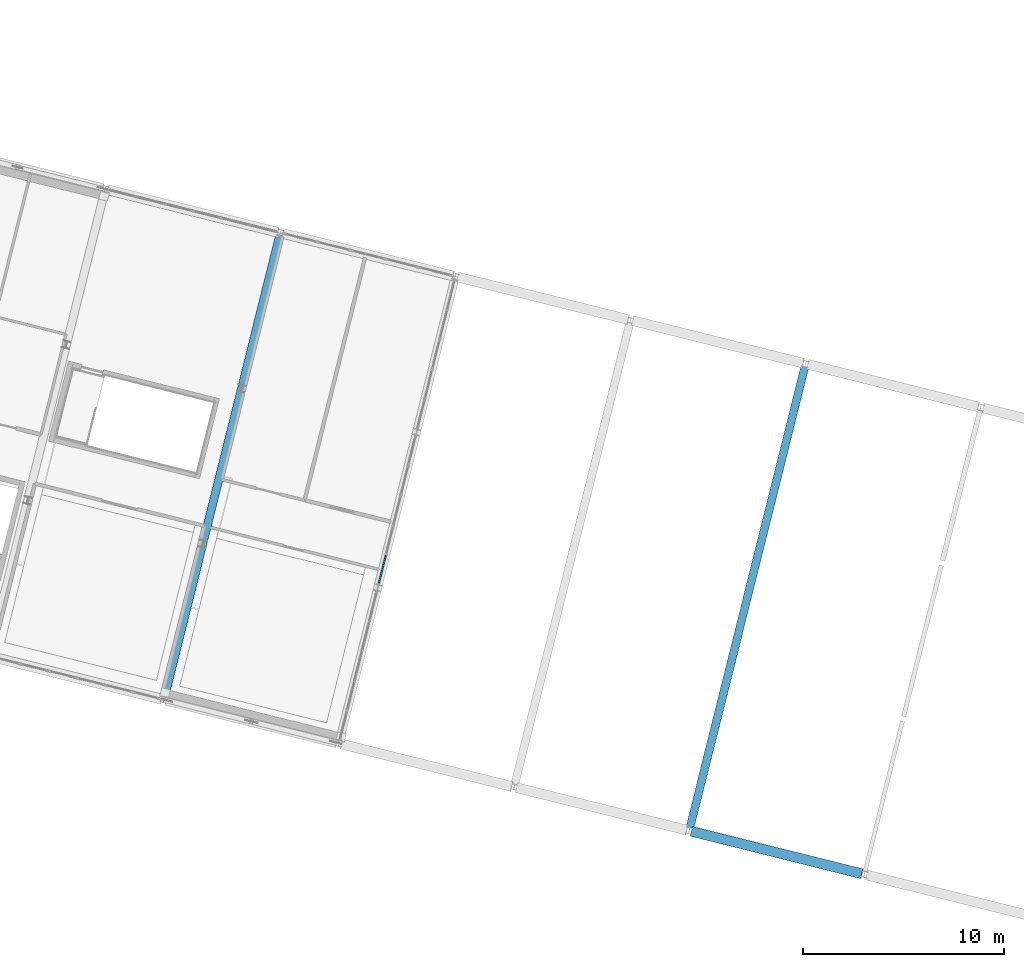
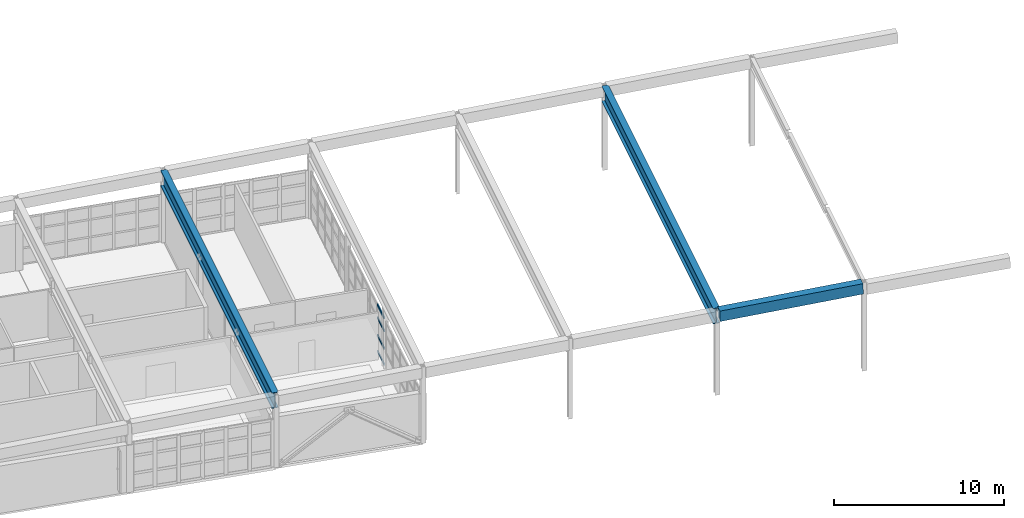
# One storey, part 13 of 27: 4 members, 3 beams, 1 element without a shape of its own.
"""IFC4 building model written with IfcOpenShell, lengths in metres."""

import ifcopenshell
import ifcopenshell.guid

model = None  # the IFC model being written
_history = None  # IfcOwnerHistory: only IFC2X3 demands one
_inside = {}  # id of a spatial element -> (the spatial element, [elements in it])
_under = {}  # id of a project, library or spatial element -> (it, [spatial elements below it])
_declared = {}  # id of a project -> (the project, [libraries it declares])
_typed = {}  # id of a type object -> (the type object, [elements of that type])
_made_of = {}  # id of a material, layer set ... -> (it, [elements and type objects made of it])


def new_model(schema):
    """Start an empty IFC model of exactly this schema.

    Asked for "IFC4X3", IfcOpenShell would pick the latest addendum, in which some entities
    have other attributes; the version numbers below select the first issue.
    IFC2X3 requires an IfcOwnerHistory on every rooted entity: one is made here for all.
    """
    global model, _history
    if schema == "IFC4X3":
        model = ifcopenshell.file(schema_version=(4, 3, 0, 0))
    else:
        model = ifcopenshell.file(schema=schema)
    _inside.clear()
    _under.clear()
    _declared.clear()
    _typed.clear()
    _made_of.clear()
    _history = None
    if model.schema == "IFC2X3":
        org = make("IfcOrganization", Name="unknown")
        user = make(
            "IfcPersonAndOrganization",
            ThePerson=make("IfcPerson", FamilyName="unknown"),
            TheOrganization=org,
        )
        app = make(
            "IfcApplication",
            ApplicationDeveloper=org,
            Version="unknown",
            ApplicationFullName="unknown",
            ApplicationIdentifier="unknown",
        )
        _history = make(
            "IfcOwnerHistory",
            OwningUser=user,
            OwningApplication=app,
            ChangeAction="ADDED",
            CreationDate=0,
        )
    return model


def make(cls, **values):
    """One entity of the class cls with the attributes given. An attribute that is None is left unset."""
    return model.create_entity(
        cls, **{name: value for name, value in values.items() if value is not None}
    )


def rooted(cls, **values):
    """An entity with a GlobalId (a new one), such as an element, a storey or a relation."""
    return make(cls, GlobalId=ifcopenshell.guid.new(), OwnerHistory=_history, **values)


def si_unit(unit_type, name, prefix=None):
    """IfcSIUnit, for example si_unit("LENGTHUNIT", "METRE", prefix="MILLI")."""
    return make("IfcSIUnit", UnitType=unit_type, Prefix=prefix, Name=name)


def assignment(units):
    """IfcUnitAssignment: the units of a project."""
    return None if units is None else make("IfcUnitAssignment", Units=units)


def point(xyz):
    """IfcCartesianPoint."""
    return None if xyz is None else make("IfcCartesianPoint", Coordinates=xyz)


def direction(xyz):
    """IfcDirection."""
    return None if xyz is None else make("IfcDirection", DirectionRatios=xyz)


def frame(location, z_axis=None, x_axis=None):
    """IfcAxis2Placement3D, a coordinate frame: its origin and axes. An axis left out is left unset."""
    return make(
        "IfcAxis2Placement3D",
        Location=point(location),
        Axis=direction(z_axis),
        RefDirection=direction(x_axis),
    )


def frame_2d(location, x_axis=None):
    """IfcAxis2Placement2D, a coordinate frame in the plane: its origin and x axis."""
    return make(
        "IfcAxis2Placement2D", Location=point(location), RefDirection=direction(x_axis)
    )


def origin():
    """The frame at (0, 0, 0) with its axes left unset."""
    return frame((0.0, 0.0, 0.0))


def origin_2d():
    """The frame at (0, 0) in the plane with its x axis left unset."""
    return frame_2d((0.0, 0.0))


def place(relative_to, where):
    """IfcLocalPlacement: puts the frame where relative to a parent placement (None: the world)."""
    return make(
        "IfcLocalPlacement", PlacementRelTo=relative_to, RelativePlacement=where
    )


def context(
    kind, dimensions, precision=None, world=None, true_north=None, identifier=None
):
    """IfcGeometricRepresentationContext, for example the 3D "Model" context."""
    return make(
        "IfcGeometricRepresentationContext",
        ContextIdentifier=identifier,
        ContextType=kind,
        CoordinateSpaceDimension=dimensions,
        Precision=precision,
        WorldCoordinateSystem=world,
        TrueNorth=true_north,
    )


def subcontext(parent, identifier, kind, view, scale=None):
    """IfcGeometricRepresentationSubContext, for example "Body" below "Model"."""
    return make(
        "IfcGeometricRepresentationSubContext",
        ContextIdentifier=identifier,
        ContextType=kind,
        ParentContext=parent,
        TargetScale=scale,
        TargetView=view,
    )


def project(units=None, contexts=None):
    """IfcProject with its units and contexts."""
    return rooted(
        "IfcProject",
        Name="project",
        RepresentationContexts=contexts,
        UnitsInContext=assignment(units),
    )


def spatial(cls, under=None, at=None, **own):
    """A site, building, storey or space (cls), placed at a placement, below another one or the project."""
    s = rooted(cls, ObjectPlacement=at, **own)
    if under is not None:
        _under.setdefault(under.id(), (under, []))[1].append(s)
    return s


def profile(cls, at=None, kind="AREA", **sizes):
    """A parametric profile (cls). Its sizes go by their IFC names, for example OverallWidth=200.0."""
    return make(cls, ProfileType=kind, Position=at, **sizes)


def rectangle(**sizes):
    """IfcRectangleProfileDef."""
    return profile("IfcRectangleProfileDef", **sizes)


def i_section(**sizes):
    """IfcIShapeProfileDef."""
    return profile("IfcIShapeProfileDef", **sizes)


def extrude(swept, where, along, depth):
    """IfcExtrudedAreaSolid: the profile swept, set in the frame where, extruded along a direction by depth."""
    return make(
        "IfcExtrudedAreaSolid",
        SweptArea=swept,
        Position=where,
        ExtrudedDirection=direction(along),
        Depth=depth,
    )


def shape(context_of_items, identifier, shape_type, items):
    """IfcShapeRepresentation: the items that make up one representation, for example the "Body"."""
    return make(
        "IfcShapeRepresentation",
        ContextOfItems=context_of_items,
        RepresentationIdentifier=identifier,
        RepresentationType=shape_type,
        Items=items,
    )


def material(Name=None, Category=None):
    """IfcMaterial."""
    return make("IfcMaterial", Name=Name, Category=Category)


def layer(
    of_material, thickness, ventilated=None, Name=None, Category=None, Priority=None
):
    """IfcMaterialLayer: one layer of a wall or slab, of a material (None: an air gap)."""
    return make(
        "IfcMaterialLayer",
        Material=of_material,
        LayerThickness=thickness,
        IsVentilated=ventilated,
        Name=Name,
        Category=Category,
        Priority=Priority,
    )


def layer_set(layers, Name=None):
    """IfcMaterialLayerSet."""
    return make("IfcMaterialLayerSet", MaterialLayers=layers, LayerSetName=Name)


def material_profile(
    of_material, cross_section, Name=None, Category=None, Priority=None
):
    """IfcMaterialProfile: a cross section and its material."""
    return make(
        "IfcMaterialProfile",
        Name=Name,
        Material=of_material,
        Profile=cross_section,
        Priority=Priority,
        Category=Category,
    )


def profile_set(profiles, Name=None, composite=None):
    """IfcMaterialProfileSet."""
    return make(
        "IfcMaterialProfileSet",
        Name=Name,
        MaterialProfiles=profiles,
        CompositeProfile=composite,
    )


def made_of(thing, what):
    """Note that an element or type object is made of a material, layer set ...; save() writes the relation."""
    if what is not None:
        _made_of.setdefault(what.id(), (what, []))[1].append(thing)
    return thing


def type_object(cls, material=None, **own):
    """A type object (cls), such as IfcWallType, which elements share."""
    return made_of(rooted(cls, **own), material)


def element(
    cls,
    number,
    at=None,
    inside=None,
    cuts=None,
    type_object=None,
    material=None,
    context=None,
    identifier="Body",
    shape_type=None,
    held_by="IfcProductDefinitionShape",
    body=None,
    shapes=None,
    **own,
):
    """One element of the class cls, such as IfcWall. Its Tag is "e" and its number.

    at: its placement. inside: the storey or other place that contains it. cuts: it is an
    opening in that element (IfcRelVoidsElement). A single representation is given by context,
    identifier, shape_type and body (its items); several are given by shapes. held_by: the class
    of the entity that holds the representations. save() writes the other relations.
    """
    e = rooted(cls, Tag="e%d" % number, ObjectPlacement=at, **own)
    if body is not None:
        shapes = [shape(context, identifier, shape_type, body)]
    if shapes is not None:
        e.Representation = make(held_by, Representations=shapes)
    if inside is not None:
        _inside.setdefault(inside.id(), (inside, []))[1].append(e)
    if cuts is not None:
        rooted(
            "IfcRelVoidsElement", RelatingBuildingElement=cuts, RelatedOpeningElement=e
        )
    if type_object is not None:
        _typed.setdefault(type_object.id(), (type_object, []))[1].append(e)
    return made_of(e, material)


def aggregate(whole, parts):
    """IfcRelAggregates: a whole, such as a stair, and the parts it consists of."""
    return rooted("IfcRelAggregates", RelatingObject=whole, RelatedObjects=parts)


def save(model, path):
    """Write the relations noted so far, then the file.

    IfcRelAggregates (storeys below a building ...), IfcRelContainedInSpatialStructure (elements
    in a storey), IfcRelDefinesByType, IfcRelAssociatesMaterial and IfcRelDeclares: one each for
    every whole, place, type object, material and project.
    """
    for whole, parts in _under.values():
        aggregate(whole, parts)
    for where, things in _inside.values():
        rooted(
            "IfcRelContainedInSpatialStructure",
            RelatedElements=things,
            RelatingStructure=where,
        )
    for kind, things in _typed.values():
        rooted("IfcRelDefinesByType", RelatedObjects=things, RelatingType=kind)
    for what, things in _made_of.values():
        rooted("IfcRelAssociatesMaterial", RelatedObjects=things, RelatingMaterial=what)
    for by, libraries in _declared.values():
        rooted("IfcRelDeclares", RelatingContext=by, RelatedDefinitions=libraries)
    model.write(path)


model = new_model("IFC4")

# Units and contexts
model_context = context("Model", 3, precision=1e-05, world=origin(), true_north=direction((0.0, 1.0)))
body_context = subcontext(model_context, "Body", "Model", "MODEL_VIEW")
ifc_project = project(units=[si_unit("LENGTHUNIT", "METRE"), si_unit("AREAUNIT", "SQUARE_METRE"), si_unit("VOLUMEUNIT", "CUBIC_METRE"), si_unit("PLANEANGLEUNIT", "RADIAN"), si_unit("MASSUNIT", "GRAM", prefix="KILO")], contexts=[model_context])

# Site, building, storey
site_placement = place(None, origin())
site = spatial("IfcSite", under=ifc_project, at=site_placement, CompositionType="ELEMENT")
building_placement = place(site_placement, origin())
building = spatial("IfcBuilding", under=site, at=building_placement, Name="Vireo Bluff Cable Station", CompositionType="ELEMENT")
storey_placement = place(building_placement, frame((0.0, 0.0, 19.199951171875)))
storey = spatial("IfcBuildingStorey", under=building, at=storey_placement, Name="L04", CompositionType="ELEMENT", Elevation=19.199951171875)

# Curtain wall, members
ifc_material_1 = material(Name="Anodized Aluminium 6063-T6", Category="aluminium")
ifc_layer = layer(ifc_material_1, 0.179931640625, Name="Anodized Aluminium 6063-T6")
ifc_layer_set = layer_set([ifc_layer], Name="Anodized Aluminium 6063-T6")
curtain_wall_type = type_object("IfcCurtainWallType", Name="CW-UNIT-1500", PredefinedType="USERDEFINED", material=ifc_layer_set)
curtain_wall_placement = place(storey_placement, origin())
curtain_wall = element("IfcCurtainWall", 1, at=curtain_wall_placement, inside=storey, type_object=curtain_wall_type, Name="V1 L04 east curtain wall CW-037", ObjectType="UNITISED CURTAIN WALL", PredefinedType="USERDEFINED")
ifc_material_profile_1 = material_profile(ifc_material_1, rectangle(XDim=0.074951171875, YDim=0.159912109375, at=origin_2d()), Name="ALU-T-75X160")
ifc_profile_set_1 = profile_set([ifc_material_profile_1], Name="Anodized Aluminium 6063-T6")
member_type = type_object("IfcMemberType", Name="CWT-02", PredefinedType="USERDEFINED", material=ifc_profile_set_1)
member_1_placement = place(storey_placement, frame((82.533935546875, 40.837158203125, 0.03759765625), z_axis=(-0.241850435842, -0.9703135404, 0.0), x_axis=(0.9703135404, -0.241850435842, 0.0)))
member_1 = element("IfcMember", 2, at=member_1_placement, type_object=member_type, Name="CW-037 transom 5.1", ObjectType="TRANSOM", PredefinedType="USERDEFINED", context=body_context, shape_type="SweptSolid", body=[
    extrude(rectangle(XDim=0.074951171875, YDim=0.159912109375, at=origin_2d()), origin(), (0.0, 0.0, 1.0), 1.42529296875),
])
member_2_placement = place(storey_placement, frame((82.533935546875, 40.837158203125, 1.18994140625), z_axis=(-0.241850435842, -0.9703135404, 0.0), x_axis=(0.9703135404, -0.241850435842, 0.0)))
member_2 = element("IfcMember", 3, at=member_2_placement, type_object=member_type, Name="CW-037 transom 5.2", ObjectType="TRANSOM", PredefinedType="USERDEFINED", context=body_context, shape_type="SweptSolid", body=[
    extrude(rectangle(XDim=0.074951171875, YDim=0.159912109375, at=origin_2d()), origin(), (0.0, 0.0, 1.0), 1.42529296875),
])
member_3_placement = place(storey_placement, frame((82.533935546875, 40.837158203125, 2.447998046875), z_axis=(-0.241850435842, -0.9703135404, 0.0), x_axis=(0.9703135404, -0.241850435842, 0.0)))
member_3 = element("IfcMember", 4, at=member_3_placement, type_object=member_type, Name="CW-037 transom 5.3", ObjectType="TRANSOM", PredefinedType="USERDEFINED", context=body_context, shape_type="SweptSolid", body=[
    extrude(rectangle(XDim=0.074951171875, YDim=0.159912109375, at=origin_2d()), origin(), (0.0, 0.0, 1.0), 1.42529296875),
])
member_4_placement = place(storey_placement, frame((82.533935546875, 40.837158203125, 3.362548828125), z_axis=(-0.241850435842, -0.9703135404, 0.0), x_axis=(0.9703135404, -0.241850435842, 0.0)))
member_4 = element("IfcMember", 5, at=member_4_placement, type_object=member_type, Name="CW-037 transom 5.4", ObjectType="TRANSOM", PredefinedType="USERDEFINED", context=body_context, shape_type="SweptSolid", body=[
    extrude(rectangle(XDim=0.074951171875, YDim=0.159912109375, at=origin_2d()), origin(), (0.0, 0.0, 1.0), 1.42529296875),
])
aggregate(curtain_wall, [member_1, member_2, member_3, member_4])

# Beams
ifc_material_2 = material(Name="Steel ASTM A992 Gr. 50", Category="steel")
ifc_material_profile_2 = material_profile(ifc_material_2, i_section(OverallWidth=0.404052734375, OverallDepth=1.117919921875, WebThickness=0.026123046875, FlangeThickness=0.044921875, FilletRadius=0.02197265625, at=origin_2d()), Name="W44X335")
ifc_profile_set_2 = profile_set([ifc_material_profile_2], Name="Steel ASTM A992 Gr. 50")
beam_type_1 = type_object("IfcBeamType", Name="GIR-W44X335", PredefinedType="USERDEFINED", material=ifc_profile_set_2)
for number, where, z_axis, x_axis, name in (
    (6, (71.494384765625, 33.761962890625, 4.652587890625), (0.241921476637, 0.970295830735, 0.0), (-0.970295830735, 0.241921476637, 0.0), "V1 L04 beam 349"),
    (7, (97.6923828125, 27.22998046875, 5.509521484375), (0.241921476637, 0.970295830735, 0.0), (-0.970295830735, 0.241921476637, 0.0), "V1 L04 beam 352"),
):
    element("IfcBeam", number, at=place(storey_placement, frame(where, z_axis=z_axis, x_axis=x_axis)), inside=storey, type_object=beam_type_1, Name=name, ObjectType="GIRDER", PredefinedType="USERDEFINED", context=body_context, shape_type="SweptSolid", body=[
        extrude(i_section(OverallWidth=0.404052734375, OverallDepth=1.117919921875, WebThickness=0.026123046875, FlangeThickness=0.044921875, FilletRadius=0.02197265625, at=origin_2d()), origin(), (0.0, 0.0, 1.0), 23.760009765625),
    ])
ifc_material_3 = material(Name="Concrete f'c 40 MPa", Category="concrete")
ifc_material_profile_3 = material_profile(ifc_material_3, rectangle(XDim=0.5, YDim=0.75, at=origin_2d()), Name="RC-EB-500X750")
ifc_profile_set_3 = profile_set([ifc_material_profile_3], Name="Concrete f'c 40 MPa")
beam_type_2 = type_object("IfcBeamType", Name="RCEB-03", PredefinedType="SPANDREL", material=ifc_profile_set_3)
beam_placement = place(storey_placement, frame((97.77978515625, 27.08447265625, 5.693603515625), z_axis=(0.969782604745, -0.241784087583, 0.032590712266), x_axis=(0.241912595995, 0.970298044881, 0.0)))
element("IfcBeam", 8, at=beam_placement, inside=storey, type_object=beam_type_2, Name="V1 L04 spandrel 338", PredefinedType="SPANDREL", context=body_context, shape_type="SweptSolid", body=[
    extrude(rectangle(XDim=0.5, YDim=0.75, at=origin_2d()), origin(), (0.0, 0.0, 1.0), 8.7646484375),
])

save(model, "model.ifc")
